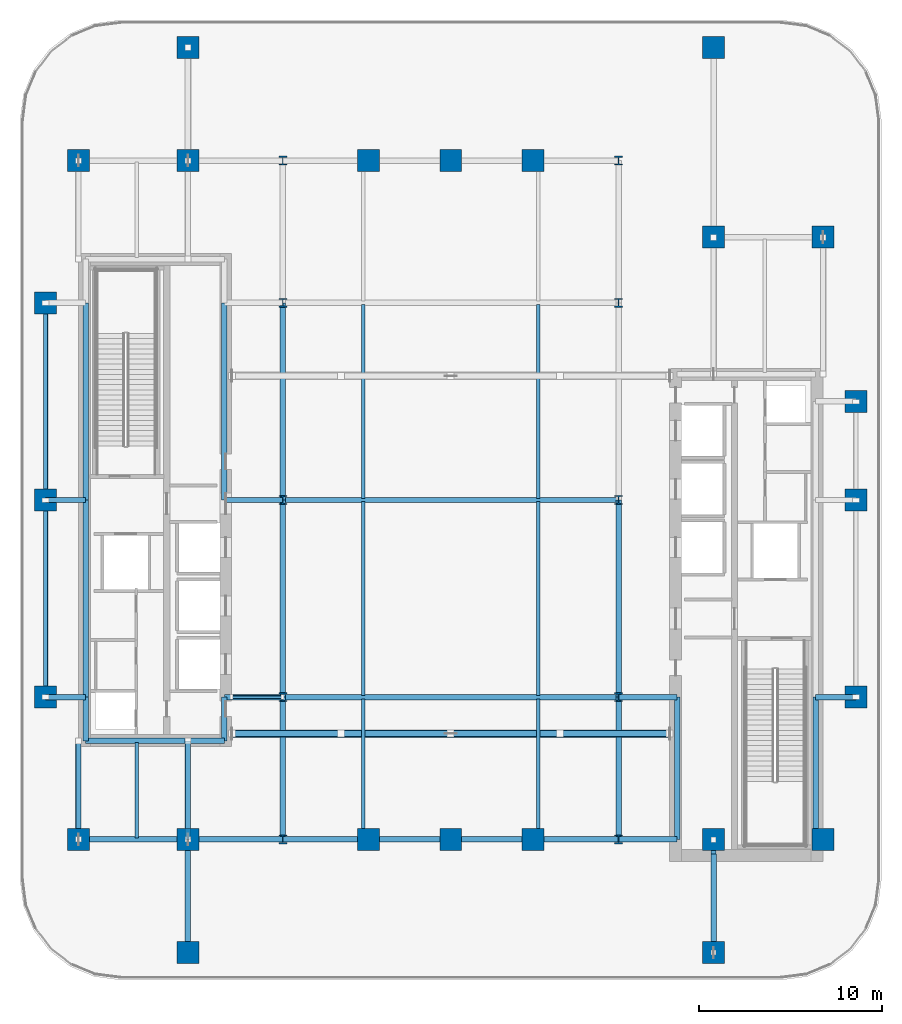
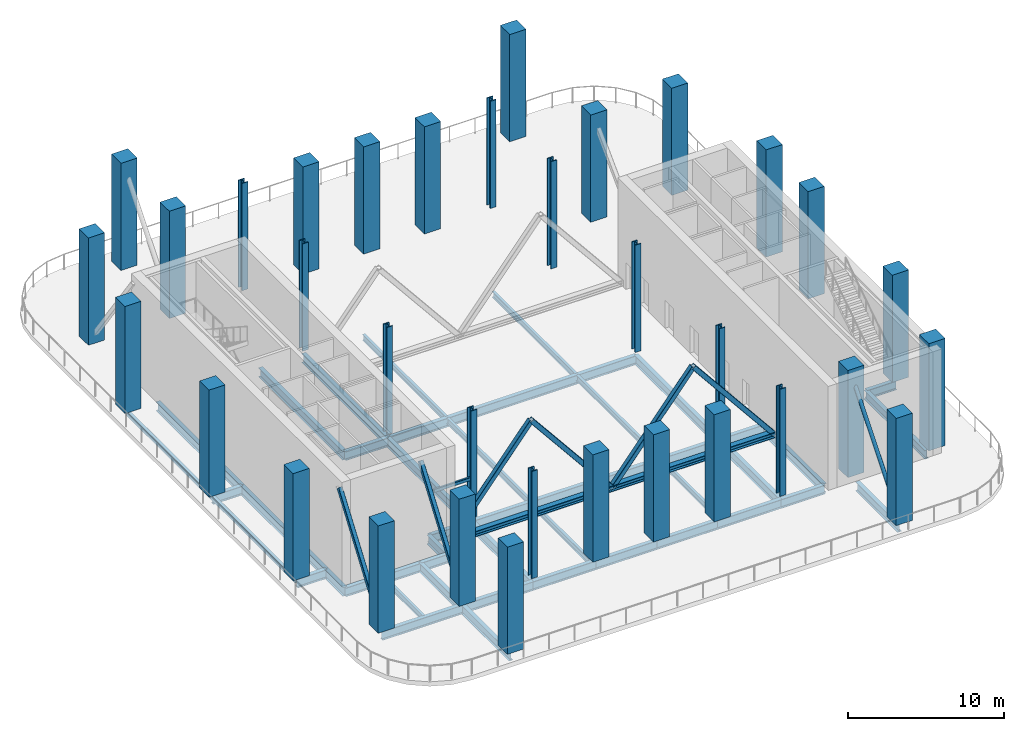
# One storey, part 1 of 13: 42 beams, 34 columns, 8 members.
"""IFC4 building model written with IfcOpenShell, lengths in metres."""

import ifcopenshell
import ifcopenshell.guid

model = None  # the IFC model being written
_history = None  # IfcOwnerHistory: only IFC2X3 demands one
_inside = {}  # id of a spatial element -> (the spatial element, [elements in it])
_under = {}  # id of a project, library or spatial element -> (it, [spatial elements below it])
_declared = {}  # id of a project -> (the project, [libraries it declares])
_typed = {}  # id of a type object -> (the type object, [elements of that type])
_made_of = {}  # id of a material, layer set ... -> (it, [elements and type objects made of it])


def new_model(schema):
    """Start an empty IFC model of exactly this schema.

    Asked for "IFC4X3", IfcOpenShell would pick the latest addendum, in which some entities
    have other attributes; the version numbers below select the first issue.
    IFC2X3 requires an IfcOwnerHistory on every rooted entity: one is made here for all.
    """
    global model, _history
    if schema == "IFC4X3":
        model = ifcopenshell.file(schema_version=(4, 3, 0, 0))
    else:
        model = ifcopenshell.file(schema=schema)
    _inside.clear()
    _under.clear()
    _declared.clear()
    _typed.clear()
    _made_of.clear()
    _history = None
    if model.schema == "IFC2X3":
        org = make("IfcOrganization", Name="unknown")
        user = make(
            "IfcPersonAndOrganization",
            ThePerson=make("IfcPerson", FamilyName="unknown"),
            TheOrganization=org,
        )
        app = make(
            "IfcApplication",
            ApplicationDeveloper=org,
            Version="unknown",
            ApplicationFullName="unknown",
            ApplicationIdentifier="unknown",
        )
        _history = make(
            "IfcOwnerHistory",
            OwningUser=user,
            OwningApplication=app,
            ChangeAction="ADDED",
            CreationDate=0,
        )
    return model


def make(cls, **values):
    """One entity of the class cls with the attributes given. An attribute that is None is left unset."""
    return model.create_entity(
        cls, **{name: value for name, value in values.items() if value is not None}
    )


def rooted(cls, **values):
    """An entity with a GlobalId (a new one), such as an element, a storey or a relation."""
    return make(cls, GlobalId=ifcopenshell.guid.new(), OwnerHistory=_history, **values)


def si_unit(unit_type, name, prefix=None):
    """IfcSIUnit, for example si_unit("LENGTHUNIT", "METRE", prefix="MILLI")."""
    return make("IfcSIUnit", UnitType=unit_type, Prefix=prefix, Name=name)


def assignment(units):
    """IfcUnitAssignment: the units of a project."""
    return None if units is None else make("IfcUnitAssignment", Units=units)


def point(xyz):
    """IfcCartesianPoint."""
    return None if xyz is None else make("IfcCartesianPoint", Coordinates=xyz)


def direction(xyz):
    """IfcDirection."""
    return None if xyz is None else make("IfcDirection", DirectionRatios=xyz)


def frame(location, z_axis=None, x_axis=None):
    """IfcAxis2Placement3D, a coordinate frame: its origin and axes. An axis left out is left unset."""
    return make(
        "IfcAxis2Placement3D",
        Location=point(location),
        Axis=direction(z_axis),
        RefDirection=direction(x_axis),
    )


def frame_2d(location, x_axis=None):
    """IfcAxis2Placement2D, a coordinate frame in the plane: its origin and x axis."""
    return make(
        "IfcAxis2Placement2D", Location=point(location), RefDirection=direction(x_axis)
    )


def origin():
    """The frame at (0, 0, 0) with its axes left unset."""
    return frame((0.0, 0.0, 0.0))


def origin_2d():
    """The frame at (0, 0) in the plane with its x axis left unset."""
    return frame_2d((0.0, 0.0))


def place(relative_to, where):
    """IfcLocalPlacement: puts the frame where relative to a parent placement (None: the world)."""
    return make(
        "IfcLocalPlacement", PlacementRelTo=relative_to, RelativePlacement=where
    )


def context(
    kind, dimensions, precision=None, world=None, true_north=None, identifier=None
):
    """IfcGeometricRepresentationContext, for example the 3D "Model" context."""
    return make(
        "IfcGeometricRepresentationContext",
        ContextIdentifier=identifier,
        ContextType=kind,
        CoordinateSpaceDimension=dimensions,
        Precision=precision,
        WorldCoordinateSystem=world,
        TrueNorth=true_north,
    )


def subcontext(parent, identifier, kind, view, scale=None):
    """IfcGeometricRepresentationSubContext, for example "Body" below "Model"."""
    return make(
        "IfcGeometricRepresentationSubContext",
        ContextIdentifier=identifier,
        ContextType=kind,
        ParentContext=parent,
        TargetScale=scale,
        TargetView=view,
    )


def project(units=None, contexts=None):
    """IfcProject with its units and contexts."""
    return rooted(
        "IfcProject",
        Name="project",
        RepresentationContexts=contexts,
        UnitsInContext=assignment(units),
    )


def spatial(cls, under=None, at=None, **own):
    """A site, building, storey or space (cls), placed at a placement, below another one or the project."""
    s = rooted(cls, ObjectPlacement=at, **own)
    if under is not None:
        _under.setdefault(under.id(), (under, []))[1].append(s)
    return s


def profile(cls, at=None, kind="AREA", **sizes):
    """A parametric profile (cls). Its sizes go by their IFC names, for example OverallWidth=200.0."""
    return make(cls, ProfileType=kind, Position=at, **sizes)


def rectangle(**sizes):
    """IfcRectangleProfileDef."""
    return profile("IfcRectangleProfileDef", **sizes)


def hollow_rectangle(**sizes):
    """IfcRectangleHollowProfileDef."""
    return profile("IfcRectangleHollowProfileDef", **sizes)


def hollow_circle(**sizes):
    """IfcCircleHollowProfileDef."""
    return profile("IfcCircleHollowProfileDef", **sizes)


def i_section(**sizes):
    """IfcIShapeProfileDef."""
    return profile("IfcIShapeProfileDef", **sizes)


def extrude(swept, where, along, depth):
    """IfcExtrudedAreaSolid: the profile swept, set in the frame where, extruded along a direction by depth."""
    return make(
        "IfcExtrudedAreaSolid",
        SweptArea=swept,
        Position=where,
        ExtrudedDirection=direction(along),
        Depth=depth,
    )


def shape(context_of_items, identifier, shape_type, items):
    """IfcShapeRepresentation: the items that make up one representation, for example the "Body"."""
    return make(
        "IfcShapeRepresentation",
        ContextOfItems=context_of_items,
        RepresentationIdentifier=identifier,
        RepresentationType=shape_type,
        Items=items,
    )


def material(Name=None, Category=None):
    """IfcMaterial."""
    return make("IfcMaterial", Name=Name, Category=Category)


def material_profile(
    of_material, cross_section, Name=None, Category=None, Priority=None
):
    """IfcMaterialProfile: a cross section and its material."""
    return make(
        "IfcMaterialProfile",
        Name=Name,
        Material=of_material,
        Profile=cross_section,
        Priority=Priority,
        Category=Category,
    )


def profile_set(profiles, Name=None, composite=None):
    """IfcMaterialProfileSet."""
    return make(
        "IfcMaterialProfileSet",
        Name=Name,
        MaterialProfiles=profiles,
        CompositeProfile=composite,
    )


def made_of(thing, what):
    """Note that an element or type object is made of a material, layer set ...; save() writes the relation."""
    if what is not None:
        _made_of.setdefault(what.id(), (what, []))[1].append(thing)
    return thing


def type_object(cls, material=None, **own):
    """A type object (cls), such as IfcWallType, which elements share."""
    return made_of(rooted(cls, **own), material)


def element(
    cls,
    number,
    at=None,
    inside=None,
    cuts=None,
    type_object=None,
    material=None,
    context=None,
    identifier="Body",
    shape_type=None,
    held_by="IfcProductDefinitionShape",
    body=None,
    shapes=None,
    **own,
):
    """One element of the class cls, such as IfcWall. Its Tag is "e" and its number.

    at: its placement. inside: the storey or other place that contains it. cuts: it is an
    opening in that element (IfcRelVoidsElement). A single representation is given by context,
    identifier, shape_type and body (its items); several are given by shapes. held_by: the class
    of the entity that holds the representations. save() writes the other relations.
    """
    e = rooted(cls, Tag="e%d" % number, ObjectPlacement=at, **own)
    if body is not None:
        shapes = [shape(context, identifier, shape_type, body)]
    if shapes is not None:
        e.Representation = make(held_by, Representations=shapes)
    if inside is not None:
        _inside.setdefault(inside.id(), (inside, []))[1].append(e)
    if cuts is not None:
        rooted(
            "IfcRelVoidsElement", RelatingBuildingElement=cuts, RelatedOpeningElement=e
        )
    if type_object is not None:
        _typed.setdefault(type_object.id(), (type_object, []))[1].append(e)
    return made_of(e, material)


def aggregate(whole, parts):
    """IfcRelAggregates: a whole, such as a stair, and the parts it consists of."""
    return rooted("IfcRelAggregates", RelatingObject=whole, RelatedObjects=parts)


def save(model, path):
    """Write the relations noted so far, then the file.

    IfcRelAggregates (storeys below a building ...), IfcRelContainedInSpatialStructure (elements
    in a storey), IfcRelDefinesByType, IfcRelAssociatesMaterial and IfcRelDeclares: one each for
    every whole, place, type object, material and project.
    """
    for whole, parts in _under.values():
        aggregate(whole, parts)
    for where, things in _inside.values():
        rooted(
            "IfcRelContainedInSpatialStructure",
            RelatedElements=things,
            RelatingStructure=where,
        )
    for kind, things in _typed.values():
        rooted("IfcRelDefinesByType", RelatedObjects=things, RelatingType=kind)
    for what, things in _made_of.values():
        rooted("IfcRelAssociatesMaterial", RelatedObjects=things, RelatingMaterial=what)
    for by, libraries in _declared.values():
        rooted("IfcRelDeclares", RelatingContext=by, RelatedDefinitions=libraries)
    model.write(path)


model = new_model("IFC4")

# Units and contexts
model_context = context("Model", 3, precision=1e-05, world=origin(), true_north=direction((0.0, 1.0)))
body_context = subcontext(model_context, "Body", "Model", "MODEL_VIEW")
ifc_project = project(units=[si_unit("LENGTHUNIT", "METRE"), si_unit("AREAUNIT", "SQUARE_METRE"), si_unit("VOLUMEUNIT", "CUBIC_METRE"), si_unit("PLANEANGLEUNIT", "RADIAN"), si_unit("MASSUNIT", "GRAM", prefix="KILO")], contexts=[model_context])

# Site, building, storey
site_placement = place(None, origin())
site = spatial("IfcSite", under=ifc_project, at=site_placement, CompositionType="ELEMENT")
building_placement = place(site_placement, origin())
building = spatial("IfcBuilding", under=site, at=building_placement, Name="Khairoan Windgate Tower", CompositionType="ELEMENT")
storey_placement = place(building_placement, frame((0.0, 0.0, 152.0)))
storey = spatial("IfcBuildingStorey", under=building, at=storey_placement, Name="L35", CompositionType="ELEMENT", Elevation=152.0)

# Columns
ifc_material_1 = material(Name="Concrete C60/75", Category="concrete")
ifc_material_profile_1 = material_profile(ifc_material_1, rectangle(XDim=1.199951171875, YDim=1.199951171875, at=origin_2d()))
ifc_profile_set_1 = profile_set([ifc_material_profile_1], Name="Concrete C60/75")
column_type_1 = type_object("IfcColumnType", Name="Column C-T3 RC1200x1200", PredefinedType="COLUMN", material=ifc_profile_set_1)
for number, where, z_axis, x_axis, name in (
    (1, (-20.39990234375, -18.60009765625, 0.0), (0.0, 0.0, 1.0), (1.0, 0.0, 0.0), "Column L35-11"),
    (2, (-20.39990234375, 18.60009765625, 0.0), (0.0, 0.0, 1.0), (1.0, 0.0, 0.0), "Column L35-12"),
    (3, (20.39990234375, -18.60009765625, 0.0), (0.0, 0.0, 1.0), (1.0, 0.0, 0.0), "Column L35-13"),
    (4, (20.39990234375, 14.39990234375, 0.0), (0.0, 0.0, 1.0), (1.0, 0.0, 0.0), "Column L35-14"),
    (5, (-14.39990234375, -18.60009765625, 0.0), (0.0, 0.0, 1.0), (1.0, 0.0, 0.0), "Column L35-15"),
    (6, (-14.39990234375, 18.60009765625, 0.0), (0.0, 0.0, 1.0), (1.0, 0.0, 0.0), "Column L35-16"),
    (7, (14.39990234375, -18.60009765625, 0.0), (0.0, 0.0, 1.0), (1.0, 0.0, 0.0), "Column L35-17"),
    (8, (14.39990234375, 14.39990234375, 0.0), (0.0, 0.0, 1.0), (1.0, 0.0, 0.0), "Column L35-18"),
    (9, (-4.5, -18.60009765625, 0.0), (0.0, 0.0, 1.0), (1.0, 0.0, 0.0), "Column L35-19"),
    (10, (0.0, -18.60009765625, 0.0), (0.0, 0.0, 1.0), (1.0, 0.0, 0.0), "Column L35-20"),
    (11, (4.5, -18.60009765625, 0.0), (0.0, 0.0, 1.0), (1.0, 0.0, 0.0), "Column L35-21"),
    (12, (-4.5, 18.60009765625, 0.0), (0.0, 0.0, 1.0), (1.0, 0.0, 0.0), "Column L35-22"),
    (13, (0.0, 18.60009765625, 0.0), (0.0, 0.0, 1.0), (1.0, 0.0, 0.0), "Column L35-23"),
    (14, (4.5, 18.60009765625, 0.0), (0.0, 0.0, 1.0), (1.0, 0.0, 0.0), "Column L35-24"),
    (15, (-22.199951171875, -10.800048828125, 0.0), (0.0, 0.0, 1.0), (1.0, 0.0, 0.0), "Column L35-25"),
    (16, (-22.199951171875, 0.0, 0.0), (0.0, 0.0, 1.0), (1.0, 0.0, 0.0), "Column L35-26"),
    (17, (-22.199951171875, 10.800048828125, 0.0), (0.0, 0.0, 1.0), (1.0, 0.0, 0.0), "Column L35-27"),
    (18, (22.199951171875, -10.800048828125, 0.0), (0.0, 0.0, 1.0), (1.0, 0.0, 0.0), "Column L35-28"),
    (19, (22.199951171875, 0.0, 0.0), (0.0, 0.0, 1.0), (1.0, 0.0, 0.0), "Column L35-29"),
    (20, (22.199951171875, 5.39990234375, 0.0), (0.0, 0.0, 1.0), (1.0, 0.0, 0.0), "Column L35-30"),
    (21, (-14.39990234375, -24.800048828125, 0.0), (0.0, 0.0, 1.0), (1.0, 0.0, 0.0), "Column L35-31"),
    (22, (-14.39990234375, 24.800048828125, 0.0), (0.0, 0.0, 1.0), (1.0, 0.0, 0.0), "Column L35-32"),
    (23, (14.39990234375, -24.800048828125, 0.0), (0.0, 0.0, 1.0), (1.0, 0.0, 0.0), "Column L35-33"),
    (24, (14.39990234375, 24.800048828125, 0.0), (0.0, 0.0, 1.0), (1.0, 0.0, 0.0), "Column L35-34"),
):
    element("IfcColumn", number, at=place(storey_placement, frame(where, z_axis=z_axis, x_axis=x_axis)), inside=storey, type_object=column_type_1, Name=name, PredefinedType="COLUMN", context=body_context, shape_type="SweptSolid", body=[
        extrude(rectangle(XDim=1.199951171875, YDim=1.199951171875, at=origin_2d()), origin(), (0.0, 0.0, 1.0), 8.39990234375),
    ])
ifc_material_2 = material(Name="Steel S355", Category="steel")
ifc_material_profile_2 = material_profile(ifc_material_2, i_section(OverallWidth=0.431884765625, OverallDepth=0.498046875, WebThickness=0.044921875, FlangeThickness=0.070068359375, FilletRadius=0.02197265625, at=origin_2d()))
ifc_profile_set_2 = profile_set([ifc_material_profile_2], Name="Steel S355")
column_type_2 = type_object("IfcColumnType", Name="Steel Column SC1 H498x432x45x70", PredefinedType="COLUMN", material=ifc_profile_set_2)
for number, where, z_axis, x_axis, name in (
    (25, (-9.199951171875, -18.60009765625, 0.0), (0.0, 0.0, 1.0), (1.0, 0.0, 0.0), "Column L35-01"),
    (26, (-9.199951171875, -10.800048828125, 0.0), (0.0, 0.0, 1.0), (1.0, 0.0, 0.0), "Column L35-02"),
    (27, (-9.199951171875, 0.0, 0.0), (0.0, 0.0, 1.0), (1.0, 0.0, 0.0), "Column L35-03"),
    (28, (-9.199951171875, 10.800048828125, 0.0), (0.0, 0.0, 1.0), (1.0, 0.0, 0.0), "Column L35-04"),
    (29, (-9.199951171875, 18.60009765625, 0.0), (0.0, 0.0, 1.0), (1.0, 0.0, 0.0), "Column L35-05"),
    (30, (9.199951171875, -18.60009765625, 0.0), (0.0, 0.0, 1.0), (1.0, 0.0, 0.0), "Column L35-06"),
    (31, (9.199951171875, -10.800048828125, 0.0), (0.0, 0.0, 1.0), (1.0, 0.0, 0.0), "Column L35-07"),
    (32, (9.199951171875, 0.0, 0.0), (0.0, 0.0, 1.0), (1.0, 0.0, 0.0), "Column L35-08"),
    (33, (9.199951171875, 10.800048828125, 0.0), (0.0, 0.0, 1.0), (1.0, 0.0, 0.0), "Column L35-09"),
    (34, (9.199951171875, 18.60009765625, 0.0), (0.0, 0.0, 1.0), (1.0, 0.0, 0.0), "Column L35-10"),
):
    element("IfcColumn", number, at=place(storey_placement, frame(where, z_axis=z_axis, x_axis=x_axis)), inside=storey, type_object=column_type_2, Name=name, PredefinedType="COLUMN", context=body_context, shape_type="SweptSolid", body=[
        extrude(i_section(OverallWidth=0.431884765625, OverallDepth=0.498046875, WebThickness=0.044921875, FlangeThickness=0.070068359375, FilletRadius=0.02197265625, at=origin_2d()), origin(), (0.0, 0.0, 1.0), 8.39990234375),
    ])

# Beams
ifc_material_3 = material(Name="Steel S355", Category="steel")
ifc_material_profile_3 = material_profile(ifc_material_3, i_section(OverallWidth=0.300048828125, OverallDepth=0.699951171875, WebThickness=0.012939453125, FlangeThickness=0.02392578125, FilletRadius=0.02587890625, at=origin_2d()))
ifc_profile_set_3 = profile_set([ifc_material_profile_3], Name="Steel S355")
beam_type_1 = type_object("IfcBeamType", Name="Beam B-G3 H700x300x13x24", PredefinedType="BEAM", material=ifc_profile_set_3)
beam_1_placement = place(storey_placement, frame((-20.39990234375, -18.60009765625, -0.699951171875), z_axis=(1.0, 0.0, 0.0), x_axis=(0.0, 1.0, 0.0)))
element("IfcBeam", 35, at=beam_1_placement, inside=storey, type_object=beam_type_1, Name="L35 E-W Primary Girder 01", PredefinedType="BEAM", context=body_context, shape_type="SweptSolid", body=[
    extrude(i_section(OverallWidth=0.300048828125, OverallDepth=0.699951171875, WebThickness=0.012939453125, FlangeThickness=0.02392578125, FilletRadius=0.02587890625, at=origin_2d()), origin(), (0.0, 0.0, 1.0), 6.0),
])
beam_2_placement = place(storey_placement, frame((-14.39990234375, -18.60009765625, -0.699951171875), z_axis=(1.0, 0.0, 0.0), x_axis=(0.0, 1.0, 0.0)))
element("IfcBeam", 36, at=beam_2_placement, inside=storey, type_object=beam_type_1, Name="L35 E-W Primary Girder 02", PredefinedType="BEAM", context=body_context, shape_type="SweptSolid", body=[
    extrude(i_section(OverallWidth=0.300048828125, OverallDepth=0.699951171875, WebThickness=0.012939453125, FlangeThickness=0.02392578125, FilletRadius=0.02587890625, at=origin_2d()), origin(), (0.0, 0.0, 1.0), 5.199951171875),
])
beam_3_placement = place(storey_placement, frame((-9.199951171875, -18.60009765625, -0.699951171875), z_axis=(1.0, 0.0, 0.0), x_axis=(0.0, 1.0, 0.0)))
element("IfcBeam", 37, at=beam_3_placement, inside=storey, type_object=beam_type_1, Name="L35 E-W Primary Girder 03", PredefinedType="BEAM", context=body_context, shape_type="SweptSolid", body=[
    extrude(i_section(OverallWidth=0.300048828125, OverallDepth=0.699951171875, WebThickness=0.012939453125, FlangeThickness=0.02392578125, FilletRadius=0.02587890625, at=origin_2d()), origin(), (0.0, 0.0, 1.0), 4.699951171875),
])
for number, where, z_axis, x_axis, name in (
    (38, (-4.5, -18.60009765625, -0.699951171875), (1.0, 0.0, 0.0), (0.0, 1.0, 0.0), "L35 E-W Primary Girder 04"),
    (39, (0.0, -18.60009765625, -0.699951171875), (1.0, 0.0, 0.0), (0.0, 1.0, 0.0), "L35 E-W Primary Girder 05"),
):
    element("IfcBeam", number, at=place(storey_placement, frame(where, z_axis=z_axis, x_axis=x_axis)), inside=storey, type_object=beam_type_1, Name=name, PredefinedType="BEAM", context=body_context, shape_type="SweptSolid", body=[
        extrude(i_section(OverallWidth=0.300048828125, OverallDepth=0.699951171875, WebThickness=0.012939453125, FlangeThickness=0.02392578125, FilletRadius=0.02587890625, at=origin_2d()), origin(), (0.0, 0.0, 1.0), 4.5),
    ])
beam_4_placement = place(storey_placement, frame((4.5, -18.60009765625, -0.699951171875), z_axis=(1.0, 0.0, 0.0), x_axis=(0.0, 1.0, 0.0)))
element("IfcBeam", 40, at=beam_4_placement, inside=storey, type_object=beam_type_1, Name="L35 E-W Primary Girder 06", PredefinedType="BEAM", context=body_context, shape_type="SweptSolid", body=[
    extrude(i_section(OverallWidth=0.300048828125, OverallDepth=0.699951171875, WebThickness=0.012939453125, FlangeThickness=0.02392578125, FilletRadius=0.02587890625, at=origin_2d()), origin(), (0.0, 0.0, 1.0), 4.699951171875),
])
beam_5_placement = place(storey_placement, frame((9.199951171875, -18.60009765625, -0.699951171875), z_axis=(1.0, 0.0, 0.0), x_axis=(0.0, 1.0, 0.0)))
element("IfcBeam", 41, at=beam_5_placement, inside=storey, type_object=beam_type_1, Name="L35 E-W Primary Girder 07", PredefinedType="BEAM", context=body_context, shape_type="SweptSolid", body=[
    extrude(i_section(OverallWidth=0.300048828125, OverallDepth=0.699951171875, WebThickness=0.012939453125, FlangeThickness=0.02392578125, FilletRadius=0.02587890625, at=origin_2d()), origin(), (0.0, 0.0, 1.0), 3.199951171875),
])
beam_6_placement = place(storey_placement, frame((-20.0, -13.199951171875, -0.699951171875), z_axis=(1.0, 0.0, 0.0), x_axis=(0.0, 1.0, 0.0)))
element("IfcBeam", 42, at=beam_6_placement, inside=storey, type_object=beam_type_1, Name="L35 E-W Primary Girder 08", PredefinedType="BEAM", context=body_context, shape_type="SweptSolid", body=[
    extrude(i_section(OverallWidth=0.300048828125, OverallDepth=0.699951171875, WebThickness=0.012939453125, FlangeThickness=0.02392578125, FilletRadius=0.02587890625, at=origin_2d()), origin(), (0.0, 0.0, 1.0), 5.60009765625),
])
beam_7_placement = place(storey_placement, frame((-14.39990234375, -13.199951171875, -0.699951171875), z_axis=(1.0, 0.0, 0.0), x_axis=(0.0, 1.0, 0.0)))
element("IfcBeam", 43, at=beam_7_placement, inside=storey, type_object=beam_type_1, Name="L35 E-W Primary Girder 09", PredefinedType="BEAM", context=body_context, shape_type="SweptSolid", body=[
    extrude(i_section(OverallWidth=0.300048828125, OverallDepth=0.699951171875, WebThickness=0.012939453125, FlangeThickness=0.02392578125, FilletRadius=0.02587890625, at=origin_2d()), origin(), (0.0, 0.0, 1.0), 2.0),
])
beam_8_placement = place(storey_placement, frame((-22.199951171875, -10.800048828125, -0.699951171875), z_axis=(1.0, 0.0, 0.0), x_axis=(0.0, 1.0, 0.0)))
element("IfcBeam", 44, at=beam_8_placement, inside=storey, type_object=beam_type_1, Name="L35 E-W Primary Girder 10", PredefinedType="BEAM", context=body_context, shape_type="SweptSolid", body=[
    extrude(i_section(OverallWidth=0.300048828125, OverallDepth=0.699951171875, WebThickness=0.012939453125, FlangeThickness=0.02392578125, FilletRadius=0.02587890625, at=origin_2d()), origin(), (0.0, 0.0, 1.0), 2.199951171875),
])
beam_9_placement = place(storey_placement, frame((-12.39990234375, -10.800048828125, -0.699951171875), z_axis=(1.0, 0.0, 0.0), x_axis=(0.0, 1.0, 0.0)))
element("IfcBeam", 45, at=beam_9_placement, inside=storey, type_object=beam_type_1, Name="L35 E-W Primary Girder 11", PredefinedType="BEAM", context=body_context, shape_type="SweptSolid", body=[
    extrude(i_section(OverallWidth=0.300048828125, OverallDepth=0.699951171875, WebThickness=0.012939453125, FlangeThickness=0.02392578125, FilletRadius=0.02587890625, at=origin_2d()), origin(), (0.0, 0.0, 1.0), 3.199951171875),
])
beam_10_placement = place(storey_placement, frame((-9.199951171875, -10.800048828125, -0.699951171875), z_axis=(1.0, 0.0, 0.0), x_axis=(0.0, 1.0, 0.0)))
element("IfcBeam", 46, at=beam_10_placement, inside=storey, type_object=beam_type_1, Name="L35 E-W Primary Girder 12", PredefinedType="BEAM", context=body_context, shape_type="SweptSolid", body=[
    extrude(i_section(OverallWidth=0.300048828125, OverallDepth=0.699951171875, WebThickness=0.012939453125, FlangeThickness=0.02392578125, FilletRadius=0.02587890625, at=origin_2d()), origin(), (0.0, 0.0, 1.0), 18.39990234375),
])
beam_11_placement = place(storey_placement, frame((9.199951171875, -10.800048828125, -0.699951171875), z_axis=(1.0, 0.0, 0.0), x_axis=(0.0, 1.0, 0.0)))
element("IfcBeam", 47, at=beam_11_placement, inside=storey, type_object=beam_type_1, Name="L35 E-W Primary Girder 13", PredefinedType="BEAM", context=body_context, shape_type="SweptSolid", body=[
    extrude(i_section(OverallWidth=0.300048828125, OverallDepth=0.699951171875, WebThickness=0.012939453125, FlangeThickness=0.02392578125, FilletRadius=0.02587890625, at=origin_2d()), origin(), (0.0, 0.0, 1.0), 3.199951171875),
])
for number, where, z_axis, x_axis, name in (
    (48, (20.0, -10.800048828125, -0.699951171875), (1.0, 0.0, 0.0), (0.0, 1.0, 0.0), "L35 E-W Primary Girder 14"),
    (49, (-22.199951171875, 0.0, -0.699951171875), (1.0, 0.0, 0.0), (0.0, 1.0, 0.0), "L35 E-W Primary Girder 15"),
):
    element("IfcBeam", number, at=place(storey_placement, frame(where, z_axis=z_axis, x_axis=x_axis)), inside=storey, type_object=beam_type_1, Name=name, PredefinedType="BEAM", context=body_context, shape_type="SweptSolid", body=[
        extrude(i_section(OverallWidth=0.300048828125, OverallDepth=0.699951171875, WebThickness=0.012939453125, FlangeThickness=0.02392578125, FilletRadius=0.02587890625, at=origin_2d()), origin(), (0.0, 0.0, 1.0), 2.199951171875),
    ])
beam_12_placement = place(storey_placement, frame((-12.39990234375, 0.0, -0.699951171875), z_axis=(1.0, 0.0, 0.0), x_axis=(0.0, 1.0, 0.0)))
element("IfcBeam", 50, at=beam_12_placement, inside=storey, type_object=beam_type_1, Name="L35 E-W Primary Girder 16", PredefinedType="BEAM", context=body_context, shape_type="SweptSolid", body=[
    extrude(i_section(OverallWidth=0.300048828125, OverallDepth=0.699951171875, WebThickness=0.012939453125, FlangeThickness=0.02392578125, FilletRadius=0.02587890625, at=origin_2d()), origin(), (0.0, 0.0, 1.0), 3.199951171875),
])
beam_13_placement = place(storey_placement, frame((-9.199951171875, 0.0, -0.699951171875), z_axis=(1.0, 0.0, 0.0), x_axis=(0.0, 1.0, 0.0)))
element("IfcBeam", 51, at=beam_13_placement, inside=storey, type_object=beam_type_1, Name="L35 E-W Primary Girder 17", PredefinedType="BEAM", context=body_context, shape_type="SweptSolid", body=[
    extrude(i_section(OverallWidth=0.300048828125, OverallDepth=0.699951171875, WebThickness=0.012939453125, FlangeThickness=0.02392578125, FilletRadius=0.02587890625, at=origin_2d()), origin(), (0.0, 0.0, 1.0), 18.39990234375),
])
beam_14_placement = place(storey_placement, frame((-20.0, -13.199951171875, -0.699951171875), z_axis=(0.0, 1.0, 0.0), x_axis=(-1.0, 0.0, 0.0)))
element("IfcBeam", 52, at=beam_14_placement, inside=storey, type_object=beam_type_1, Name="L35 N-S Primary Beam 36", PredefinedType="BEAM", context=body_context, shape_type="SweptSolid", body=[
    extrude(i_section(OverallWidth=0.300048828125, OverallDepth=0.699951171875, WebThickness=0.012939453125, FlangeThickness=0.02392578125, FilletRadius=0.02587890625, at=origin_2d()), origin(), (0.0, 0.0, 1.0), 2.39990234375),
])
for number, where, z_axis, x_axis, name in (
    (53, (-20.0, -10.800048828125, -0.699951171875), (0.0, 1.0, 0.0), (-1.0, 0.0, 0.0), "L35 N-S Primary Beam 37"),
    (54, (-20.0, 0.0, -0.699951171875), (0.0, 1.0, 0.0), (-1.0, 0.0, 0.0), "L35 N-S Primary Beam 38"),
):
    element("IfcBeam", number, at=place(storey_placement, frame(where, z_axis=z_axis, x_axis=x_axis)), inside=storey, type_object=beam_type_1, Name=name, PredefinedType="BEAM", context=body_context, shape_type="SweptSolid", body=[
        extrude(i_section(OverallWidth=0.300048828125, OverallDepth=0.699951171875, WebThickness=0.012939453125, FlangeThickness=0.02392578125, FilletRadius=0.02587890625, at=origin_2d()), origin(), (0.0, 0.0, 1.0), 10.800048828125),
    ])
beam_15_placement = place(storey_placement, frame((-14.39990234375, -24.800048828125, -0.699951171875), z_axis=(0.0, 1.0, 0.0), x_axis=(-1.0, 0.0, 0.0)))
element("IfcBeam", 55, at=beam_15_placement, inside=storey, type_object=beam_type_1, Name="L35 N-S Primary Beam 40", PredefinedType="BEAM", context=body_context, shape_type="SweptSolid", body=[
    extrude(i_section(OverallWidth=0.300048828125, OverallDepth=0.699951171875, WebThickness=0.012939453125, FlangeThickness=0.02392578125, FilletRadius=0.02587890625, at=origin_2d()), origin(), (0.0, 0.0, 1.0), 6.199951171875),
])
beam_16_placement = place(storey_placement, frame((-14.39990234375, -18.60009765625, -0.699951171875), z_axis=(0.0, 1.0, 0.0), x_axis=(-1.0, 0.0, 0.0)))
element("IfcBeam", 56, at=beam_16_placement, inside=storey, type_object=beam_type_1, Name="L35 N-S Primary Beam 41", PredefinedType="BEAM", context=body_context, shape_type="SweptSolid", body=[
    extrude(i_section(OverallWidth=0.300048828125, OverallDepth=0.699951171875, WebThickness=0.012939453125, FlangeThickness=0.02392578125, FilletRadius=0.02587890625, at=origin_2d()), origin(), (0.0, 0.0, 1.0), 5.400146484375),
])
beam_17_placement = place(storey_placement, frame((-12.39990234375, -13.199951171875, -0.699951171875), z_axis=(0.0, 1.0, 0.0), x_axis=(-1.0, 0.0, 0.0)))
element("IfcBeam", 57, at=beam_17_placement, inside=storey, type_object=beam_type_1, Name="L35 N-S Primary Beam 44", PredefinedType="BEAM", context=body_context, shape_type="SweptSolid", body=[
    extrude(i_section(OverallWidth=0.300048828125, OverallDepth=0.699951171875, WebThickness=0.012939453125, FlangeThickness=0.02392578125, FilletRadius=0.02587890625, at=origin_2d()), origin(), (0.0, 0.0, 1.0), 2.39990234375),
])
beam_18_placement = place(storey_placement, frame((-12.39990234375, 0.0, -0.699951171875), z_axis=(0.0, 1.0, 0.0), x_axis=(-1.0, 0.0, 0.0)))
element("IfcBeam", 58, at=beam_18_placement, inside=storey, type_object=beam_type_1, Name="L35 N-S Primary Beam 45", PredefinedType="BEAM", context=body_context, shape_type="SweptSolid", body=[
    extrude(i_section(OverallWidth=0.300048828125, OverallDepth=0.699951171875, WebThickness=0.012939453125, FlangeThickness=0.02392578125, FilletRadius=0.02587890625, at=origin_2d()), origin(), (0.0, 0.0, 1.0), 10.800048828125),
])
beam_19_placement = place(storey_placement, frame((-9.199951171875, -18.60009765625, -0.699951171875), z_axis=(0.0, 1.0, 0.0), x_axis=(-1.0, 0.0, 0.0)))
element("IfcBeam", 59, at=beam_19_placement, inside=storey, type_object=beam_type_1, Name="L35 N-S Primary Beam 47", PredefinedType="BEAM", context=body_context, shape_type="SweptSolid", body=[
    extrude(i_section(OverallWidth=0.300048828125, OverallDepth=0.699951171875, WebThickness=0.012939453125, FlangeThickness=0.02392578125, FilletRadius=0.02587890625, at=origin_2d()), origin(), (0.0, 0.0, 1.0), 7.800048828125),
])
for number, where, z_axis, x_axis, name in (
    (60, (-9.199951171875, -10.800048828125, -0.699951171875), (0.0, 1.0, 0.0), (-1.0, 0.0, 0.0), "L35 N-S Primary Beam 48"),
    (61, (-9.199951171875, 0.0, -0.699951171875), (0.0, 1.0, 0.0), (-1.0, 0.0, 0.0), "L35 N-S Primary Beam 49"),
):
    element("IfcBeam", number, at=place(storey_placement, frame(where, z_axis=z_axis, x_axis=x_axis)), inside=storey, type_object=beam_type_1, Name=name, PredefinedType="BEAM", context=body_context, shape_type="SweptSolid", body=[
        extrude(i_section(OverallWidth=0.300048828125, OverallDepth=0.699951171875, WebThickness=0.012939453125, FlangeThickness=0.02392578125, FilletRadius=0.02587890625, at=origin_2d()), origin(), (0.0, 0.0, 1.0), 10.800048828125),
    ])
beam_20_placement = place(storey_placement, frame((9.199951171875, -18.60009765625, -0.699951171875), z_axis=(0.0, 1.0, 0.0), x_axis=(-1.0, 0.0, 0.0)))
element("IfcBeam", 62, at=beam_20_placement, inside=storey, type_object=beam_type_1, Name="L35 N-S Primary Beam 51", PredefinedType="BEAM", context=body_context, shape_type="SweptSolid", body=[
    extrude(i_section(OverallWidth=0.300048828125, OverallDepth=0.699951171875, WebThickness=0.012939453125, FlangeThickness=0.02392578125, FilletRadius=0.02587890625, at=origin_2d()), origin(), (0.0, 0.0, 1.0), 7.800048828125),
])
beam_21_placement = place(storey_placement, frame((9.199951171875, -10.800048828125, -0.699951171875), z_axis=(0.0, 1.0, 0.0), x_axis=(-1.0, 0.0, 0.0)))
element("IfcBeam", 63, at=beam_21_placement, inside=storey, type_object=beam_type_1, Name="L35 N-S Primary Beam 52", PredefinedType="BEAM", context=body_context, shape_type="SweptSolid", body=[
    extrude(i_section(OverallWidth=0.300048828125, OverallDepth=0.699951171875, WebThickness=0.012939453125, FlangeThickness=0.02392578125, FilletRadius=0.02587890625, at=origin_2d()), origin(), (0.0, 0.0, 1.0), 10.800048828125),
])
beam_22_placement = place(storey_placement, frame((12.39990234375, -18.60009765625, -0.699951171875), z_axis=(0.0, 1.0, 0.0), x_axis=(-1.0, 0.0, 0.0)))
element("IfcBeam", 64, at=beam_22_placement, inside=storey, type_object=beam_type_1, Name="L35 N-S Primary Beam 55", PredefinedType="BEAM", context=body_context, shape_type="SweptSolid", body=[
    extrude(i_section(OverallWidth=0.300048828125, OverallDepth=0.699951171875, WebThickness=0.012939453125, FlangeThickness=0.02392578125, FilletRadius=0.02587890625, at=origin_2d()), origin(), (0.0, 0.0, 1.0), 7.800048828125),
])
beam_23_placement = place(storey_placement, frame((14.39990234375, -24.800048828125, -0.699951171875), z_axis=(0.0, 1.0, 0.0), x_axis=(-1.0, 0.0, 0.0)))
element("IfcBeam", 65, at=beam_23_placement, inside=storey, type_object=beam_type_1, Name="L35 N-S Primary Beam 56", PredefinedType="BEAM", context=body_context, shape_type="SweptSolid", body=[
    extrude(i_section(OverallWidth=0.300048828125, OverallDepth=0.699951171875, WebThickness=0.012939453125, FlangeThickness=0.02392578125, FilletRadius=0.02587890625, at=origin_2d()), origin(), (0.0, 0.0, 1.0), 5.400146484375),
])
beam_24_placement = place(storey_placement, frame((20.0, -18.60009765625, -0.699951171875), z_axis=(0.0, 1.0, 0.0), x_axis=(-1.0, 0.0, 0.0)))
element("IfcBeam", 66, at=beam_24_placement, inside=storey, type_object=beam_type_1, Name="L35 N-S Primary Beam 59", PredefinedType="BEAM", context=body_context, shape_type="SweptSolid", body=[
    extrude(i_section(OverallWidth=0.300048828125, OverallDepth=0.699951171875, WebThickness=0.012939453125, FlangeThickness=0.02392578125, FilletRadius=0.02587890625, at=origin_2d()), origin(), (0.0, 0.0, 1.0), 7.800048828125),
])
ifc_material_4 = material(Name="Steel S355", Category="steel")
ifc_material_profile_4 = material_profile(ifc_material_4, i_section(OverallWidth=0.199951171875, OverallDepth=0.449951171875, WebThickness=0.009033203125, FlangeThickness=0.013916015625, FilletRadius=0.01806640625, at=origin_2d()))
ifc_profile_set_4 = profile_set([ifc_material_profile_4], Name="Steel S355")
beam_type_2 = type_object("IfcBeamType", Name="Beam J-S3 H450x200x9x14", PredefinedType="JOIST", material=ifc_profile_set_4)
beam_25_placement = place(storey_placement, frame((-17.199951171875, -18.510009765625, -0.574951171875), z_axis=(0.0, 1.0, 0.0), x_axis=(-1.0, 0.0, 0.0)))
element("IfcBeam", 67, at=beam_25_placement, inside=storey, type_object=beam_type_2, Name="L35 Secondary Floor Joist 01", PredefinedType="JOIST", context=body_context, shape_type="SweptSolid", body=[
    extrude(i_section(OverallWidth=0.199951171875, OverallDepth=0.449951171875, WebThickness=0.009033203125, FlangeThickness=0.013916015625, FilletRadius=0.01806640625, at=origin_2d()), origin(), (0.0, 0.0, 1.0), 5.219970703125),
])
beam_26_placement = place(storey_placement, frame((-4.800048828125, -18.510009765625, -0.574951171875), z_axis=(0.0, 1.0, 0.0), x_axis=(-1.0, 0.0, 0.0)))
element("IfcBeam", 68, at=beam_26_placement, inside=storey, type_object=beam_type_2, Name="L35 Secondary Floor Joist 03", PredefinedType="JOIST", context=body_context, shape_type="SweptSolid", body=[
    extrude(i_section(OverallWidth=0.199951171875, OverallDepth=0.449951171875, WebThickness=0.009033203125, FlangeThickness=0.013916015625, FilletRadius=0.01806640625, at=origin_2d()), origin(), (0.0, 0.0, 1.0), 7.6201171875),
])
for number, where, z_axis, x_axis, name in (
    (69, (-4.800048828125, -10.7099609375, -0.574951171875), (0.0, 1.0, 0.0), (-1.0, 0.0, 0.0), "L35 Secondary Floor Joist 04"),
    (70, (-4.800048828125, 0.090087890625, -0.574951171875), (0.0, 1.0, 0.0), (-1.0, 0.0, 0.0), "L35 Secondary Floor Joist 05"),
):
    element("IfcBeam", number, at=place(storey_placement, frame(where, z_axis=z_axis, x_axis=x_axis)), inside=storey, type_object=beam_type_2, Name=name, PredefinedType="JOIST", context=body_context, shape_type="SweptSolid", body=[
        extrude(i_section(OverallWidth=0.199951171875, OverallDepth=0.449951171875, WebThickness=0.009033203125, FlangeThickness=0.013916015625, FilletRadius=0.01806640625, at=origin_2d()), origin(), (0.0, 0.0, 1.0), 10.619873046875),
    ])
beam_27_placement = place(storey_placement, frame((4.800048828125, -18.510009765625, -0.574951171875), z_axis=(0.0, 1.0, 0.0), x_axis=(-1.0, 0.0, 0.0)))
element("IfcBeam", 71, at=beam_27_placement, inside=storey, type_object=beam_type_2, Name="L35 Secondary Floor Joist 07", PredefinedType="JOIST", context=body_context, shape_type="SweptSolid", body=[
    extrude(i_section(OverallWidth=0.199951171875, OverallDepth=0.449951171875, WebThickness=0.009033203125, FlangeThickness=0.013916015625, FilletRadius=0.01806640625, at=origin_2d()), origin(), (0.0, 0.0, 1.0), 7.6201171875),
])
for number, where, z_axis, x_axis, name in (
    (72, (4.800048828125, -10.7099609375, -0.574951171875), (0.0, 1.0, 0.0), (-1.0, 0.0, 0.0), "L35 Secondary Floor Joist 08"),
    (73, (4.800048828125, 0.090087890625, -0.574951171875), (0.0, 1.0, 0.0), (-1.0, 0.0, 0.0), "L35 Secondary Floor Joist 09"),
):
    element("IfcBeam", number, at=place(storey_placement, frame(where, z_axis=z_axis, x_axis=x_axis)), inside=storey, type_object=beam_type_2, Name=name, PredefinedType="JOIST", context=body_context, shape_type="SweptSolid", body=[
        extrude(i_section(OverallWidth=0.199951171875, OverallDepth=0.449951171875, WebThickness=0.009033203125, FlangeThickness=0.013916015625, FilletRadius=0.01806640625, at=origin_2d()), origin(), (0.0, 0.0, 1.0), 10.619873046875),
    ])
ifc_material_5 = material(Name="Steel S355", Category="steel")
ifc_material_profile_5 = material_profile(ifc_material_5, hollow_rectangle(XDim=0.14990234375, YDim=0.25, WallThickness=0.010009765625, InnerFilletRadius=0.010009765625, OuterFilletRadius=0.02001953125, at=origin_2d()))
ifc_profile_set_5 = profile_set([ifc_material_profile_5], Name="Steel S355")
beam_type_3 = type_object("IfcBeamType", Name="Beam LN-B1 RHS250x150x10", PredefinedType="LINTEL", material=ifc_profile_set_5)
beam_28_placement = place(storey_placement, frame((-12.02001953125, -10.800048828125, 2.949951171875), z_axis=(1.0, 0.0, 0.0), x_axis=(0.0, 1.0, 0.0)))
element("IfcBeam", 74, at=beam_28_placement, inside=storey, type_object=beam_type_3, Name="Core Lobby Opening Lintel L35", PredefinedType="LINTEL", context=body_context, shape_type="SweptSolid", body=[
    extrude(hollow_rectangle(XDim=0.14990234375, YDim=0.25, WallThickness=0.010009765625, InnerFilletRadius=0.010009765625, OuterFilletRadius=0.02001953125, at=origin_2d()), origin(), (0.0, 0.0, 1.0), 2.820068359375),
])
ifc_material_6 = material(Name="Steel S355", Category="steel")
ifc_material_profile_6 = material_profile(ifc_material_6, hollow_rectangle(XDim=0.25, YDim=0.35009765625, WallThickness=0.012451171875, InnerFilletRadius=0.012451171875, OuterFilletRadius=0.02490234375, at=origin_2d()))
ifc_profile_set_6 = profile_set([ifc_material_profile_6], Name="Steel S355")
beam_type_4 = type_object("IfcBeamType", Name="Beam SP-B2 RHS350x250x12.5", PredefinedType="SPANDREL", material=ifc_profile_set_6)
for number, where, z_axis, x_axis, name in (
    (75, (-22.199951171875, -10.800048828125, -0.52490234375), (0.0, 1.0, 0.0), (-1.0, 0.0, 0.0), "L35 Spandrel Beam 34"),
    (76, (-22.199951171875, 0.0, -0.52490234375), (0.0, 1.0, 0.0), (-1.0, 0.0, 0.0), "L35 Spandrel Beam 35"),
):
    element("IfcBeam", number, at=place(storey_placement, frame(where, z_axis=z_axis, x_axis=x_axis)), inside=storey, type_object=beam_type_4, Name=name, PredefinedType="SPANDREL", context=body_context, shape_type="SweptSolid", body=[
        extrude(hollow_rectangle(XDim=0.25, YDim=0.35009765625, WallThickness=0.012451171875, InnerFilletRadius=0.012451171875, OuterFilletRadius=0.02490234375, at=origin_2d()), origin(), (0.0, 0.0, 1.0), 10.800048828125),
    ])

# Members
ifc_material_7 = material(Name="Steel S355", Category="steel")
ifc_material_profile_7 = material_profile(ifc_material_7, hollow_rectangle(XDim=0.300048828125, YDim=0.300048828125, WallThickness=0.01611328125, InnerFilletRadius=0.01611328125, OuterFilletRadius=0.031982421875, at=origin_2d()))
ifc_profile_set_7 = profile_set([ifc_material_profile_7], Name="Steel S355")
member_type_1 = type_object("IfcMemberType", Name="Structural Member BR-BT1 SHS300x300x16", PredefinedType="BRACE", material=ifc_profile_set_7)
for number, where, z_axis, x_axis, name in (
    (77, (-20.39990234375, -18.60009765625, 0.02001953125), (0.0, 0.580736398103, 0.814091663094), (0.0, -0.814091663094, 0.580736398103), "L35 Wing Belt-Truss Brace 01"),
    (78, (-14.39990234375, -18.60009765625, 0.02001953125), (0.0, 0.580736398103, 0.814091663094), (0.0, -0.814091663094, 0.580736398103), "L35 Wing Belt-Truss Brace 03"),
):
    element("IfcMember", number, at=place(storey_placement, frame(where, z_axis=z_axis, x_axis=x_axis)), inside=storey, type_object=member_type_1, Name=name, PredefinedType="BRACE", context=body_context, shape_type="SweptSolid", body=[
        extrude(hollow_rectangle(XDim=0.300048828125, YDim=0.300048828125, WallThickness=0.01611328125, InnerFilletRadius=0.01611328125, OuterFilletRadius=0.031982421875, at=origin_2d()), origin(), (0.0, 0.0, 1.0), 9.298828125),
    ])
ifc_material_8 = material(Name="Steel S355", Category="steel")
ifc_material_profile_8 = material_profile(ifc_material_8, hollow_circle(Radius=0.136474609375, WallThickness=0.012451171875, at=origin_2d()))
ifc_profile_set_8 = profile_set([ifc_material_profile_8], Name="Steel S355")
member_type_2 = type_object("IfcMemberType", Name="Structural Member BR-CN1 CHS273x12.5", PredefinedType="BRACE", material=ifc_profile_set_8)
member_1_placement = place(storey_placement, frame((14.39990234375, -24.800048828125, 0.02001953125), z_axis=(0.0, 0.633620865172, 0.773643715943), x_axis=(0.0, -0.773643715943, 0.633620865172)))
element("IfcMember", 79, at=member_1_placement, inside=storey, type_object=member_type_2, Name="L35 Portal Belt Tubular Brace BR-CN-1", PredefinedType="BRACE", context=body_context, shape_type="SweptSolid", body=[
    extrude(hollow_circle(Radius=0.136474609375, WallThickness=0.012451171875, at=origin_2d()), origin(), (0.0, 0.0, 1.0), 9.784912109375),
])
ifc_material_9 = material(Name="Steel S355", Category="steel")
ifc_material_profile_9 = material_profile(ifc_material_9, hollow_rectangle(XDim=0.35009765625, YDim=0.35009765625, WallThickness=0.01611328125, InnerFilletRadius=0.01611328125, OuterFilletRadius=0.031982421875, at=origin_2d()))
ifc_profile_set_9 = profile_set([ifc_material_profile_9], Name="Steel S355")
member_type_3 = type_object("IfcMemberType", Name="Structural Member BR-OT2 SHS350x350x16", PredefinedType="BRACE", material=ifc_profile_set_9)
for number, where, z_axis, x_axis, name in (
    (80, (-12.0, -12.800048828125, 0.219970703125), (0.631338953515, 0.0, 0.775507012073), (0.0, 1.0, 0.0), "L35 Outrigger Diagonal Brace 01"),
    (81, (-6.0, -12.800048828125, 7.590087890625), (0.631338953515, 0.0, -0.775507012073), (0.0, 1.0, 0.0), "L35 Outrigger Diagonal Brace 02"),
    (82, (0.0, -12.800048828125, 0.219970703125), (0.631338953515, 0.0, 0.775507012073), (0.0, 1.0, 0.0), "L35 Outrigger Diagonal Brace 03"),
    (83, (6.0, -12.800048828125, 7.590087890625), (0.631338953515, 0.0, -0.775507012073), (0.0, 1.0, 0.0), "L35 Outrigger Diagonal Brace 04"),
):
    element("IfcMember", number, at=place(storey_placement, frame(where, z_axis=z_axis, x_axis=x_axis)), inside=storey, type_object=member_type_3, Name=name, PredefinedType="BRACE", context=body_context, shape_type="SweptSolid", body=[
        extrude(hollow_rectangle(XDim=0.35009765625, YDim=0.35009765625, WallThickness=0.01611328125, InnerFilletRadius=0.01611328125, OuterFilletRadius=0.031982421875, at=origin_2d()), origin(), (0.0, 0.0, 1.0), 9.503662109375),
    ])
ifc_material_10 = material(Name="Steel S355", Category="steel")
ifc_material_profile_10 = material_profile(ifc_material_10, i_section(OverallWidth=0.406982421875, OverallDepth=0.427978515625, WebThickness=0.02001953125, FlangeThickness=0.034912109375, FilletRadius=0.02197265625, at=origin_2d()))
ifc_profile_set_10 = profile_set([ifc_material_profile_10], Name="Steel S355")
member_type_4 = type_object("IfcMemberType", Name="Structural Member CHB-1 H428x407x20x35", PredefinedType="CHORD", material=ifc_profile_set_10)
member_2_placement = place(storey_placement, frame((-12.02001953125, -12.800048828125, 0.219970703125), z_axis=(1.0, 0.0, 0.0), x_axis=(0.0, 1.0, 0.0)))
element("IfcMember", 84, at=member_2_placement, inside=storey, type_object=member_type_4, Name="L35 Coupled Outrigger Bottom Tie Chord", PredefinedType="CHORD", context=body_context, shape_type="SweptSolid", body=[
    extrude(i_section(OverallWidth=0.406982421875, OverallDepth=0.427978515625, WebThickness=0.02001953125, FlangeThickness=0.034912109375, FilletRadius=0.02197265625, at=origin_2d()), origin(), (0.0, 0.0, 1.0), 24.0400390625),
])

save(model, "model.ifc")
